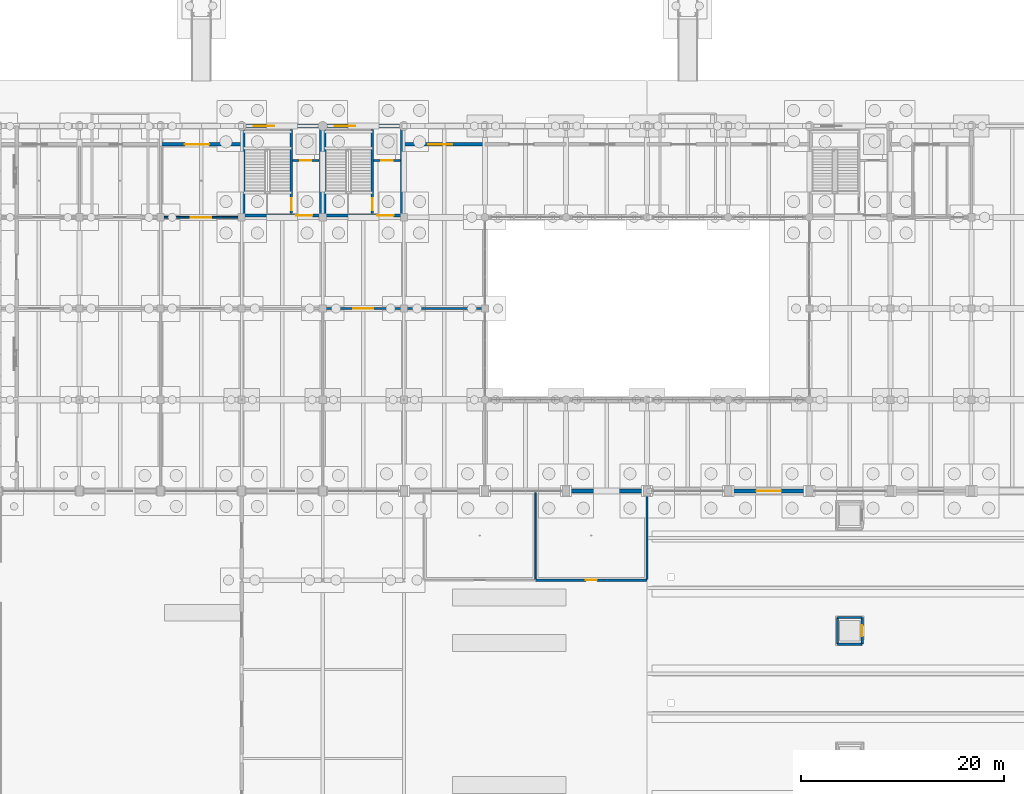
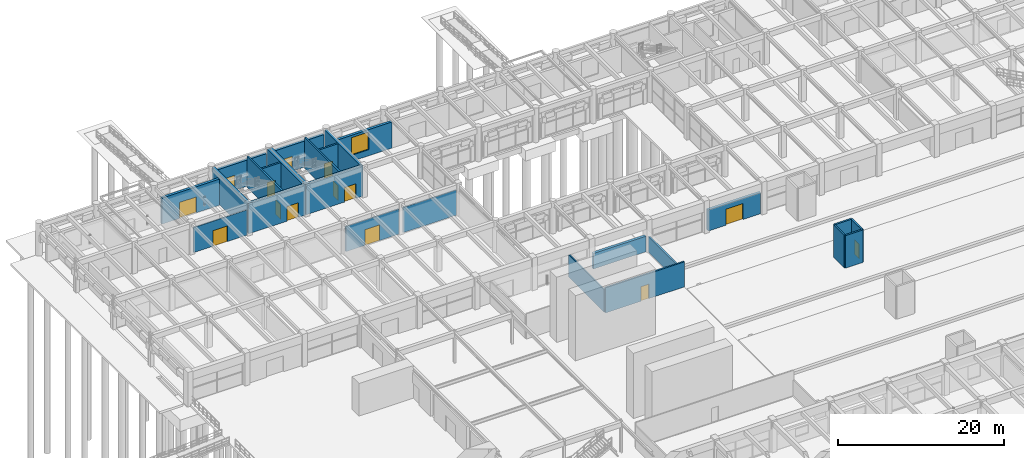
# One storey, part 106 of 147: 26 walls, 14 doors, 1 window, 15 openings.
"""IFC4 building model written with IfcOpenShell, lengths in metres."""

from ifc_helpers import new_model, si_unit, direction, frame, frame_2d, origin, place, context, subcontext, project, spatial, rectangle, extrude, material, layer, layer_set, type_object, element, fill, save


model = new_model("IFC4")

# Units and contexts
model_context = context("Model", 3, precision=1e-05, world=origin(), true_north=direction((0.0, 1.0)))
body_context = subcontext(model_context, "Body", "Model", "MODEL_VIEW")
ifc_project = project(units=[si_unit("LENGTHUNIT", "METRE"), si_unit("AREAUNIT", "SQUARE_METRE"), si_unit("VOLUMEUNIT", "CUBIC_METRE"), si_unit("PLANEANGLEUNIT", "RADIAN"), si_unit("MASSUNIT", "GRAM", prefix="KILO")], contexts=[model_context])

# Site, building, storey
site_placement = place(None, origin())
site = spatial("IfcSite", under=ifc_project, at=site_placement, CompositionType="ELEMENT")
building_placement = place(site_placement, origin())
building = spatial("IfcBuilding", under=site, at=building_placement, Name="Varnabhumi Central Station", CompositionType="ELEMENT")
storey_placement = place(building_placement, origin())
storey = spatial("IfcBuildingStorey", under=building, at=storey_placement, Name="L00", CompositionType="ELEMENT", Elevation=0.0)

# Wall, opening, door
ifc_material_1 = material(Name="Autoclaved aerated blockwork masonry", Category="masonry")
ifc_layer_1 = layer(ifc_material_1, 0.219970703125, Name="Autoclaved aerated blockwork masonry", Category="masonry")
ifc_layer_set_1 = layer_set([ifc_layer_1], Name="Autoclaved aerated blockwork masonry")
wall_type_1 = type_object("IfcWallType", Name="WAL-COMP-AAC-220", PredefinedType="SOLIDWALL", material=ifc_layer_set_1)
wall_1_placement = place(storey_placement, frame((53.0, 71.199951171875, 0.0), z_axis=(0.0, 0.0, 1.0), x_axis=(1.0, 0.0, 0.0)))
wall_1 = element("IfcWall", 1, at=wall_1_placement, inside=storey, type_object=wall_type_1, Name="Passenger Cloak Room and Left Luggage Corridor Partition 1", PredefinedType="SOLIDWALL", context=body_context, shape_type="SweptSolid", body=[
    extrude(rectangle(XDim=11.0, YDim=0.219970703125, at=frame_2d((5.5, 0.0))), origin(), (0.0, 0.0, 1.0), 3.699951171875),
])
opening_1_placement = place(wall_1_placement, frame((4.949951171875, 0.0, 0.0)))
opening_1 = element("IfcOpeningElement", 2, at=opening_1_placement, cuts=wall_1, Name="Opening FD-60", PredefinedType="OPENING", context=body_context, shape_type="SweptSolid", body=[
    extrude(rectangle(XDim=1.10009765625, YDim=2.14990234375, at=frame_2d((0.550048828125, 1.074951171875))), frame((0.0, 0.119873046875, 0.0), z_axis=(0.0, -1.0, 0.0), x_axis=(1.0, 0.0, 0.0)), (0.0, 0.0, 1.0), 0.239990234375),
])
ifc_material_2 = material(Name="Intumescent-treated hardwood timber", Category="wood")
door_type_1 = type_object("IfcDoorType", Name="DR-FIRE-60-1100", OperationType="NOTDEFINED", PredefinedType="DOOR", material=ifc_material_2)
door_1_placement = place(opening_1_placement, frame((1.10009765625, 0.0, 0.0), z_axis=(0.0, 0.0, 1.0), x_axis=(-1.0, 0.0, 0.0)))
door_1 = element("IfcDoor", 3, at=door_1_placement, inside=storey, type_object=door_type_1, Name="Passenger Cloak Room and Left Luggage Door 1", OperationType="SINGLE_SWING_LEFT", OverallHeight=2.14990234375, OverallWidth=1.10009765625, PredefinedType="DOOR", context=body_context, shape_type="SweptSolid", body=[
    extrude(rectangle(XDim=1.10009765625, YDim=2.14990234375, at=frame_2d((0.550048828125, 1.074951171875))), frame((0.0, 0.02490234375, 0.0), z_axis=(0.0, -1.0, 0.0), x_axis=(1.0, 0.0, 0.0)), (0.0, 0.0, 1.0), 0.050048828125),
])
fill(opening_1, door_1)

# Walls
wall_2_placement = place(storey_placement, frame((64.0, 71.280029296875, 0.0), z_axis=(0.0, 0.0, 1.0), x_axis=(0.0, 1.0, 0.0)))
element("IfcWall", 4, at=wall_2_placement, inside=storey, type_object=wall_type_1, Name="Passenger Cloak Room and Left Luggage W Partition 1", PredefinedType="SOLIDWALL", context=body_context, shape_type="SweptSolid", body=[
    extrude(rectangle(XDim=8.419921875, YDim=0.219970703125, at=frame_2d((4.2099609375, 0.0))), origin(), (0.0, 0.0, 1.0), 2.280029296875),
])
ifc_material_3 = material(Name="Concrete M40", Category="concrete")
ifc_layer_2 = layer(ifc_material_3, 0.300048828125, Name="Concrete M40", Category="concrete")
ifc_layer_set_2 = layer_set([ifc_layer_2], Name="Concrete M40")
wall_type_2 = type_object("IfcWallType", Name="WAL-CORE-RC-300", PredefinedType="SHEAR", material=ifc_layer_set_2)
for number, where, z_axis, x_axis, name in (
    (5, (24.179931640625, 107.179931640625, 0.0), (0.0, 0.0, 1.0), (0.0, 1.0, 0.0), "NC1 L00 West Shear Wall"),
    (6, (31.820068359375, 107.179931640625, 0.0), (0.0, 0.0, 1.0), (0.0, 1.0, 0.0), "NC1 L00 East Shear Wall"),
):
    element("IfcWall", number, at=place(storey_placement, frame(where, z_axis=z_axis, x_axis=x_axis)), inside=storey, type_object=wall_type_2, Name=name, PredefinedType="SHEAR", context=body_context, shape_type="SweptSolid", body=[
        extrude(rectangle(XDim=8.64013671875, YDim=0.300048828125, at=frame_2d((4.320068359375, 0.0))), origin(), (0.0, 0.0, 1.0), 4.52001953125),
    ])

# Wall, opening, door
wall_3_placement = place(storey_placement, frame((24.030029296875, 107.179931640625, 0.0), z_axis=(0.0, 0.0, 1.0), x_axis=(1.0, 0.0, 0.0)))
wall_3 = element("IfcWall", 7, at=wall_3_placement, inside=storey, type_object=wall_type_2, Name="NC1 L00 Corridor Shear Wall", PredefinedType="SHEAR", context=body_context, shape_type="SweptSolid", body=[
    extrude(rectangle(XDim=7.93994140625, YDim=0.300048828125, at=frame_2d((3.969970703125, 0.0))), origin(), (0.0, 0.0, 1.0), 4.52001953125),
])
opening_2_placement = place(wall_3_placement, frame((5.35009765625, 0.0, 0.0)))
opening_2 = element("IfcOpeningElement", 8, at=opening_2_placement, cuts=wall_3, Name="Opening FD-60D", PredefinedType="OPENING", context=body_context, shape_type="SweptSolid", body=[
    extrude(rectangle(XDim=1.60009765625, YDim=2.14990234375, at=frame_2d((0.800048828125, 1.074951171875))), frame((0.0, 0.159912109375, 0.0), z_axis=(0.0, -1.0, 0.0), x_axis=(1.0, 0.0, 0.0)), (0.0, 0.0, 1.0), 0.320068359375),
])
door_type_2 = type_object("IfcDoorType", Name="DR-FIRE-60-1600", OperationType="NOTDEFINED", PredefinedType="DOOR", material=ifc_material_2)
door_2_placement = place(opening_2_placement, frame((1.60009765625, 0.0, 0.0), z_axis=(0.0, 0.0, 1.0), x_axis=(-1.0, 0.0, 0.0)))
door_2 = element("IfcDoor", 9, at=door_2_placement, inside=storey, type_object=door_type_2, Name="NC1 L00 Lobby Fire Door", OperationType="DOUBLE_DOOR_SINGLE_SWING", OverallHeight=2.14990234375, OverallWidth=1.60009765625, PredefinedType="DOOR", context=body_context, shape_type="SweptSolid", body=[
    extrude(rectangle(XDim=1.60009765625, YDim=2.14990234375, at=frame_2d((0.800048828125, 1.074951171875))), frame((0.0, 0.02490234375, 0.0), z_axis=(0.0, -1.0, 0.0), x_axis=(1.0, 0.0, 0.0)), (0.0, 0.0, 1.0), 0.050048828125),
])
fill(opening_2, door_2)

# Walls
for number, where, z_axis, x_axis, name in (
    (10, (32.179931640625, 107.179931640625, 0.0), (0.0, 0.0, 1.0), (0.0, 1.0, 0.0), "NC4 L00 West Shear Wall"),
    (11, (39.820068359375, 107.179931640625, 0.0), (0.0, 0.0, 1.0), (0.0, 1.0, 0.0), "NC4 L00 East Shear Wall"),
):
    element("IfcWall", number, at=place(storey_placement, frame(where, z_axis=z_axis, x_axis=x_axis)), inside=storey, type_object=wall_type_2, Name=name, PredefinedType="SHEAR", context=body_context, shape_type="SweptSolid", body=[
        extrude(rectangle(XDim=8.64013671875, YDim=0.300048828125, at=frame_2d((4.320068359375, 0.0))), origin(), (0.0, 0.0, 1.0), 4.52001953125),
    ])

# Wall, opening, door
wall_4_placement = place(storey_placement, frame((32.030029296875, 107.179931640625, 0.0), z_axis=(0.0, 0.0, 1.0), x_axis=(1.0, 0.0, 0.0)))
wall_4 = element("IfcWall", 12, at=wall_4_placement, inside=storey, type_object=wall_type_2, Name="NC4 L00 Corridor Shear Wall", PredefinedType="SHEAR", context=body_context, shape_type="SweptSolid", body=[
    extrude(rectangle(XDim=7.93994140625, YDim=0.300048828125, at=frame_2d((3.969970703125, 0.0))), origin(), (0.0, 0.0, 1.0), 4.52001953125),
])
opening_3_placement = place(wall_4_placement, frame((5.35009765625, 0.0, 0.0)))
opening_3 = element("IfcOpeningElement", 13, at=opening_3_placement, cuts=wall_4, Name="Opening FD-60D", PredefinedType="OPENING", context=body_context, shape_type="SweptSolid", body=[
    extrude(rectangle(XDim=1.60009765625, YDim=2.14990234375, at=frame_2d((0.800048828125, 1.074951171875))), frame((0.0, 0.159912109375, 0.0), z_axis=(0.0, -1.0, 0.0), x_axis=(1.0, 0.0, 0.0)), (0.0, 0.0, 1.0), 0.320068359375),
])
door_3_placement = place(opening_3_placement, frame((1.60009765625, 0.0, 0.0), z_axis=(0.0, 0.0, 1.0), x_axis=(-1.0, 0.0, 0.0)))
door_3 = element("IfcDoor", 14, at=door_3_placement, inside=storey, type_object=door_type_2, Name="NC4 L00 Lobby Fire Door", OperationType="DOUBLE_DOOR_SINGLE_SWING", OverallHeight=2.14990234375, OverallWidth=1.60009765625, PredefinedType="DOOR", context=body_context, shape_type="SweptSolid", body=[
    extrude(rectangle(XDim=1.60009765625, YDim=2.14990234375, at=frame_2d((0.800048828125, 1.074951171875))), frame((0.0, 0.02490234375, 0.0), z_axis=(0.0, -1.0, 0.0), x_axis=(1.0, 0.0, 0.0)), (0.0, 0.0, 1.0), 0.050048828125),
])
fill(opening_3, door_3)

ifc_material_4 = material(Name="Chunar sandstone masonry", Category="masonry")
ifc_layer_3 = layer(ifc_material_4, 0.360107421875, Name="Chunar sandstone masonry", Category="masonry")
ifc_layer_set_3 = layer_set([ifc_layer_3], Name="Chunar sandstone masonry")
wall_type_3 = type_object("IfcWallType", Name="WAL-EXT-SANDSTONE-360", PredefinedType="SOLIDWALL", material=ifc_layer_set_3)
wall_5_placement = place(storey_placement, frame((16.0, 114.199951171875, 0.0), z_axis=(0.0, 0.0, 1.0), x_axis=(1.0, 0.0, 0.0)))
wall_5 = element("IfcWall", 15, at=wall_5_placement, inside=storey, type_object=wall_type_3, Name="North Boulevard Wall L00-3", PredefinedType="SOLIDWALL", context=body_context, shape_type="SweptSolid", body=[
    extrude(rectangle(XDim=8.0, YDim=0.360107421875, at=frame_2d((4.0, 0.0))), origin(), (0.0, 0.0, 1.0), 3.840087890625),
])
opening_4_placement = place(wall_5_placement, frame((2.39990234375, 0.0, 0.0)))
opening_4 = element("IfcOpeningElement", 16, at=opening_4_placement, cuts=wall_5, Name="Opening ED-1", PredefinedType="OPENING", context=body_context, shape_type="SweptSolid", body=[
    extrude(rectangle(XDim=2.39990234375, YDim=2.35009765625, at=frame_2d((1.199951171875, 1.175048828125))), frame((0.0, 0.18994140625, 0.0), z_axis=(0.0, -1.0, 0.0), x_axis=(1.0, 0.0, 0.0)), (0.0, 0.0, 1.0), 0.380126953125),
])
ifc_material_5 = material(Name="Anodised aluminium 6063-T6", Category="aluminium")
door_type_3 = type_object("IfcDoorType", Name="DR-EXT-PORTAL-2400", OperationType="NOTDEFINED", PredefinedType="DOOR", material=ifc_material_5)
door_4_placement = place(opening_4_placement, origin())
door_4 = element("IfcDoor", 17, at=door_4_placement, inside=storey, type_object=door_type_3, Name="North Boulevard Portal Entrance 3", OperationType="DOUBLE_DOOR_SINGLE_SWING", OverallHeight=2.35009765625, OverallWidth=2.39990234375, PredefinedType="DOOR", context=body_context, shape_type="SweptSolid", body=[
    extrude(rectangle(XDim=2.39990234375, YDim=2.35009765625, at=frame_2d((1.199951171875, 1.175048828125))), frame((0.0, 0.02490234375, 0.0), z_axis=(0.0, -1.0, 0.0), x_axis=(1.0, 0.0, 0.0)), (0.0, 0.0, 1.0), 0.050048828125),
])
fill(opening_4, door_4)

wall_6_placement = place(storey_placement, frame((24.39990234375, 116.0, 0.0), z_axis=(0.0, 0.0, 1.0), x_axis=(1.0, 0.0, 0.0)))
wall_6 = element("IfcWall", 18, at=wall_6_placement, inside=storey, type_object=wall_type_3, Name="North Boulevard Wall L00-4", PredefinedType="SOLIDWALL", context=body_context, shape_type="SweptSolid", body=[
    extrude(rectangle(XDim=7.2001953125, YDim=0.360107421875, at=frame_2d((3.60009765625, 0.0))), origin(), (0.0, 0.0, 1.0), 3.840087890625),
])
opening_5_placement = place(wall_6_placement, frame((0.800048828125, 0.0, 0.0)))
opening_5 = element("IfcOpeningElement", 19, at=opening_5_placement, cuts=wall_6, Name="Opening ED-2", PredefinedType="OPENING", context=body_context, shape_type="SweptSolid", body=[
    extrude(rectangle(XDim=2.0, YDim=2.199951171875, at=frame_2d((1.0, 1.10009765625))), frame((0.0, 0.18994140625, 0.0), z_axis=(0.0, -1.0, 0.0), x_axis=(1.0, 0.0, 0.0)), (0.0, 0.0, 1.0), 0.380126953125),
])
ifc_material_6 = material(Name="Stainless steel Grade 316", Category="steel")
door_type_4 = type_object("IfcDoorType", Name="DR-EXT-EXIT-2000", OperationType="NOTDEFINED", PredefinedType="DOOR", material=ifc_material_6)
door_5_placement = place(opening_5_placement, origin())
door_5 = element("IfcDoor", 20, at=door_5_placement, inside=storey, type_object=door_type_4, Name="North Core Stair Final Exit 24", OperationType="DOUBLE_DOOR_SINGLE_SWING", OverallHeight=2.199951171875, OverallWidth=2.0, PredefinedType="DOOR", context=body_context, shape_type="SweptSolid", body=[
    extrude(rectangle(XDim=2.0, YDim=2.199951171875, at=frame_2d((1.0, 1.10009765625))), frame((0.0, 0.02490234375, 0.0), z_axis=(0.0, -1.0, 0.0), x_axis=(1.0, 0.0, 0.0)), (0.0, 0.0, 1.0), 0.050048828125),
])
fill(opening_5, door_5)

wall_7_placement = place(storey_placement, frame((32.39990234375, 116.0, 0.0), z_axis=(0.0, 0.0, 1.0), x_axis=(1.0, 0.0, 0.0)))
wall_7 = element("IfcWall", 21, at=wall_7_placement, inside=storey, type_object=wall_type_3, Name="North Boulevard Wall L00-5", PredefinedType="SOLIDWALL", context=body_context, shape_type="SweptSolid", body=[
    extrude(rectangle(XDim=7.2001953125, YDim=0.360107421875, at=frame_2d((3.60009765625, 0.0))), origin(), (0.0, 0.0, 1.0), 3.840087890625),
])
opening_6_placement = place(wall_7_placement, frame((0.800048828125, 0.0, 0.0)))
opening_6 = element("IfcOpeningElement", 22, at=opening_6_placement, cuts=wall_7, Name="Opening ED-2", PredefinedType="OPENING", context=body_context, shape_type="SweptSolid", body=[
    extrude(rectangle(XDim=2.0, YDim=2.199951171875, at=frame_2d((1.0, 1.10009765625))), frame((0.0, 0.18994140625, 0.0), z_axis=(0.0, -1.0, 0.0), x_axis=(1.0, 0.0, 0.0)), (0.0, 0.0, 1.0), 0.380126953125),
])
door_6_placement = place(opening_6_placement, origin())
door_6 = element("IfcDoor", 23, at=door_6_placement, inside=storey, type_object=door_type_4, Name="North Core Stair Final Exit 32", OperationType="DOUBLE_DOOR_SINGLE_SWING", OverallHeight=2.199951171875, OverallWidth=2.0, PredefinedType="DOOR", context=body_context, shape_type="SweptSolid", body=[
    extrude(rectangle(XDim=2.0, YDim=2.199951171875, at=frame_2d((1.0, 1.10009765625))), frame((0.0, 0.02490234375, 0.0), z_axis=(0.0, -1.0, 0.0), x_axis=(1.0, 0.0, 0.0)), (0.0, 0.0, 1.0), 0.050048828125),
])
fill(opening_6, door_6)

# Wall, opening, window
wall_8_placement = place(storey_placement, frame((40.0, 114.199951171875, 0.0), z_axis=(0.0, 0.0, 1.0), x_axis=(1.0, 0.0, 0.0)))
wall_8 = element("IfcWall", 24, at=wall_8_placement, inside=storey, type_object=wall_type_3, Name="North Boulevard Wall L00-6", PredefinedType="SOLIDWALL", context=body_context, shape_type="SweptSolid", body=[
    extrude(rectangle(XDim=8.0, YDim=0.360107421875, at=frame_2d((4.0, 0.0))), origin(), (0.0, 0.0, 1.0), 3.840087890625),
])
opening_7_placement = place(wall_8_placement, frame((2.39990234375, 0.0, 0.89990234375)))
opening_7 = element("IfcOpeningElement", 25, at=opening_7_placement, cuts=wall_8, Name="Opening W-01", PredefinedType="OPENING", context=body_context, shape_type="SweptSolid", body=[
    extrude(rectangle(XDim=2.39990234375, YDim=2.60009765625, at=frame_2d((1.199951171875, 1.300048828125))), frame((0.0, 0.18994140625, 0.0), z_axis=(0.0, -1.0, 0.0), x_axis=(1.0, 0.0, 0.0)), (0.0, 0.0, 1.0), 0.380126953125),
])
ifc_material_7 = material(Name="Laminated low-E double glazing", Category="glass")
window_type = type_object("IfcWindowType", Name="WIN-ARCADE-2400x2600", PartitioningType="DOUBLE_PANEL_VERTICAL", PredefinedType="WINDOW", material=ifc_material_7)
window_placement = place(opening_7_placement, origin())
window = element("IfcWindow", 26, at=window_placement, inside=storey, type_object=window_type, Name="North Arcade Window L00-6", OverallHeight=2.60009765625, OverallWidth=2.39990234375, PartitioningType="SINGLE_PANEL", PredefinedType="WINDOW", context=body_context, shape_type="SweptSolid", body=[
    extrude(rectangle(XDim=2.39990234375, YDim=2.60009765625, at=frame_2d((1.199951171875, 1.300048828125))), frame((0.0, 0.030029296875, 0.0), z_axis=(0.0, -1.0, 0.0), x_axis=(1.0, 0.0, 0.0)), (0.0, 0.0, 1.0), 0.06005859375),
])
fill(opening_7, window)

# Wall
wall_9_placement = place(storey_placement, frame((56.344970703125, 80.0, 0.0), z_axis=(0.0, 0.0, 1.0), x_axis=(1.0, 0.0, 0.0)))
element("IfcWall", 27, at=wall_9_placement, inside=storey, type_object=wall_type_3, Name="North Spine Wall L00-8", PredefinedType="SOLIDWALL", context=body_context, shape_type="SweptSolid", body=[
    extrude(rectangle(XDim=7.31005859375, YDim=0.360107421875, at=frame_2d((3.655029296875, 0.0))), origin(), (0.0, 0.0, 1.0), 2.280029296875),
])

# Wall, opening, door
wall_10_placement = place(storey_placement, frame((72.344970703125, 80.0, 0.0), z_axis=(0.0, 0.0, 1.0), x_axis=(1.0, 0.0, 0.0)))
wall_10 = element("IfcWall", 28, at=wall_10_placement, inside=storey, type_object=wall_type_3, Name="North Spine Wall L00-10", PredefinedType="SOLIDWALL", context=body_context, shape_type="SweptSolid", body=[
    extrude(rectangle(XDim=7.31005859375, YDim=0.360107421875, at=frame_2d((3.655029296875, 0.0))), origin(), (0.0, 0.0, 1.0), 3.110107421875),
])
opening_8_placement = place(wall_10_placement, frame((2.455078125, 0.0, 0.0)))
opening_8 = element("IfcOpeningElement", 29, at=opening_8_placement, cuts=wall_10, Name="Opening ED-1", PredefinedType="OPENING", context=body_context, shape_type="SweptSolid", body=[
    extrude(rectangle(XDim=2.39990234375, YDim=2.35009765625, at=frame_2d((1.199951171875, 1.175048828125))), frame((0.0, 0.18994140625, 0.0), z_axis=(0.0, -1.0, 0.0), x_axis=(1.0, 0.0, 0.0)), (0.0, 0.0, 1.0), 0.380126953125),
])
door_7_placement = place(opening_8_placement, frame((2.39990234375, 0.0, 0.0), z_axis=(0.0, 0.0, 1.0), x_axis=(-1.0, 0.0, 0.0)))
door_7 = element("IfcDoor", 30, at=door_7_placement, inside=storey, type_object=door_type_3, Name="North Spine Portal Door L00-10", OperationType="DOUBLE_DOOR_SINGLE_SWING", OverallHeight=2.35009765625, OverallWidth=2.39990234375, PredefinedType="DOOR", context=body_context, shape_type="SweptSolid", body=[
    extrude(rectangle(XDim=2.39990234375, YDim=2.35009765625, at=frame_2d((1.199951171875, 1.175048828125))), frame((0.0, 0.02490234375, 0.0), z_axis=(0.0, -1.0, 0.0), x_axis=(1.0, 0.0, 0.0)), (0.0, 0.0, 1.0), 0.050048828125),
])
fill(opening_8, door_7)

# Wall
ifc_layer_4 = layer(ifc_material_1, 0.159912109375, Name="Autoclaved aerated blockwork masonry", Category="masonry")
ifc_layer_set_4 = layer_set([ifc_layer_4], Name="Autoclaved aerated blockwork masonry")
wall_type_4 = type_object("IfcWallType", Name="WAL-PART-AAC-160", PredefinedType="PARTITIONING", material=ifc_layer_set_4)
wall_11_placement = place(storey_placement, frame((53.0, 71.280029296875, 0.0), z_axis=(0.0, 0.0, 1.0), x_axis=(0.0, 1.0, 0.0)))
element("IfcWall", 31, at=wall_11_placement, inside=storey, type_object=wall_type_4, Name="Divyangjan Help Booth and Enquiry W Partition 1", PredefinedType="PARTITIONING", context=body_context, shape_type="SweptSolid", body=[
    extrude(rectangle(XDim=8.56005859375, YDim=0.159912109375, at=frame_2d((4.280029296875, 0.0))), origin(), (0.0, 0.0, 1.0), 3.31005859375),
])

# Wall, opening, door
wall_12_placement = place(storey_placement, frame((16.300048828125, 107.0, 0.0), z_axis=(0.0, 0.0, 1.0), x_axis=(1.0, 0.0, 0.0)))
wall_12 = element("IfcWall", 32, at=wall_12_placement, inside=storey, type_object=wall_type_4, Name="Travel Retail Shop 01 Corridor Partition 1", PredefinedType="PARTITIONING", context=body_context, shape_type="SweptSolid", body=[
    extrude(rectangle(XDim=7.39990234375, YDim=0.159912109375, at=frame_2d((3.699951171875, 0.0))), origin(), (0.0, 0.0, 1.0), 3.699951171875),
])
opening_9_placement = place(wall_12_placement, frame((2.699951171875, 0.0, 0.0)))
opening_9 = element("IfcOpeningElement", 33, at=opening_9_placement, cuts=wall_12, Name="Opening D-03", PredefinedType="OPENING", context=body_context, shape_type="SweptSolid", body=[
    extrude(rectangle(XDim=2.0, YDim=2.300048828125, at=frame_2d((1.0, 1.14990234375))), frame((0.0, 0.08984375, 0.0), z_axis=(0.0, -1.0, 0.0), x_axis=(1.0, 0.0, 0.0)), (0.0, 0.0, 1.0), 0.179931640625),
])
door_type_5 = type_object("IfcDoorType", Name="DR-SHOP-2000", OperationType="NOTDEFINED", PredefinedType="DOOR", material=ifc_material_5)
door_8_placement = place(opening_9_placement, frame((2.0, 0.0, 0.0), z_axis=(0.0, 0.0, 1.0), x_axis=(-1.0, 0.0, 0.0)))
door_8 = element("IfcDoor", 34, at=door_8_placement, inside=storey, type_object=door_type_5, Name="Travel Retail Shop 01 Door 1", OperationType="DOUBLE_DOOR_SINGLE_SWING", OverallHeight=2.300048828125, OverallWidth=2.0, PredefinedType="DOOR", context=body_context, shape_type="SweptSolid", body=[
    extrude(rectangle(XDim=2.0, YDim=2.300048828125, at=frame_2d((1.0, 1.14990234375))), frame((0.0, 0.02490234375, 0.0), z_axis=(0.0, -1.0, 0.0), x_axis=(1.0, 0.0, 0.0)), (0.0, 0.0, 1.0), 0.050048828125),
])
fill(opening_9, door_8)

wall_13_placement = place(storey_placement, frame((32.300048828125, 98.0, 0.0), z_axis=(0.0, 0.0, 1.0), x_axis=(1.0, 0.0, 0.0)))
wall_13 = element("IfcWall", 35, at=wall_13_placement, inside=storey, type_object=wall_type_4, Name="Luggage and Travel Gear Shop Corridor Partition 1", PredefinedType="PARTITIONING", context=body_context, shape_type="SweptSolid", body=[
    extrude(rectangle(XDim=7.39990234375, YDim=0.159912109375, at=frame_2d((3.699951171875, 0.0))), origin(), (0.0, 0.0, 1.0), 3.699951171875),
])
opening_10_placement = place(wall_13_placement, frame((2.699951171875, 0.0, 0.0)))
opening_10 = element("IfcOpeningElement", 36, at=opening_10_placement, cuts=wall_13, Name="Opening D-03", PredefinedType="OPENING", context=body_context, shape_type="SweptSolid", body=[
    extrude(rectangle(XDim=2.0, YDim=2.300048828125, at=frame_2d((1.0, 1.14990234375))), frame((0.0, 0.08984375, 0.0), z_axis=(0.0, -1.0, 0.0), x_axis=(1.0, 0.0, 0.0)), (0.0, 0.0, 1.0), 0.179931640625),
])
door_9_placement = place(opening_10_placement, origin())
door_9 = element("IfcDoor", 37, at=door_9_placement, inside=storey, type_object=door_type_5, Name="Luggage and Travel Gear Shop Door 1", OperationType="DOUBLE_DOOR_SINGLE_SWING", OverallHeight=2.300048828125, OverallWidth=2.0, PredefinedType="DOOR", context=body_context, shape_type="SweptSolid", body=[
    extrude(rectangle(XDim=2.0, YDim=2.300048828125, at=frame_2d((1.0, 1.14990234375))), frame((0.0, 0.02490234375, 0.0), z_axis=(0.0, -1.0, 0.0), x_axis=(1.0, 0.0, 0.0)), (0.0, 0.0, 1.0), 0.050048828125),
])
fill(opening_10, door_9)

# Wall
wall_14_placement = place(storey_placement, frame((40.300048828125, 98.0, 0.0), z_axis=(0.0, 0.0, 1.0), x_axis=(1.0, 0.0, 0.0)))
element("IfcWall", 38, at=wall_14_placement, inside=storey, type_object=wall_type_4, Name="Luggage and Travel Gear Shop Corridor Partition 2", PredefinedType="PARTITIONING", context=body_context, shape_type="SweptSolid", body=[
    extrude(rectangle(XDim=7.39990234375, YDim=0.159912109375, at=frame_2d((3.699951171875, 0.0))), origin(), (0.0, 0.0, 1.0), 3.699951171875),
])

# Wall, opening, door
ifc_layer_5 = layer(ifc_material_3, 0.239990234375, Name="Concrete M40", Category="concrete")
ifc_layer_set_5 = layer_set([ifc_layer_5], Name="Concrete M40")
wall_type_5 = type_object("IfcWallType", Name="WAL-SHAFT-RC-240", PredefinedType="SHEAR", material=ifc_layer_set_5)
wall_15_placement = place(storey_placement, frame((28.89990234375, 107.35009765625, 0.0), z_axis=(0.0, 0.0, 1.0), x_axis=(0.0, 1.0, 0.0)))
wall_15 = element("IfcWall", 39, at=wall_15_placement, inside=storey, type_object=wall_type_5, Name="NC1 L00 Stair-Lobby Divider Wall", PredefinedType="SHEAR", context=body_context, shape_type="SweptSolid", body=[
    extrude(rectangle(XDim=8.2998046875, YDim=0.239990234375, at=frame_2d((4.14990234375, 0.0))), origin(), (0.0, 0.0, 1.0), 4.52001953125),
])
opening_11_placement = place(wall_15_placement, frame((0.35009765625, 0.0, 0.0)))
opening_11 = element("IfcOpeningElement", 40, at=opening_11_placement, cuts=wall_15, Name="Opening FD-120", PredefinedType="OPENING", context=body_context, shape_type="SweptSolid", body=[
    extrude(rectangle(XDim=1.199951171875, YDim=2.14990234375, at=frame_2d((0.60009765625, 1.074951171875))), frame((0.0, 0.1298828125, 0.0), z_axis=(0.0, -1.0, 0.0), x_axis=(1.0, 0.0, 0.0)), (0.0, 0.0, 1.0), 0.260009765625),
])
door_type_6 = type_object("IfcDoorType", Name="DR-FIRE-120-1200", OperationType="NOTDEFINED", PredefinedType="DOOR", material=ifc_material_6)
door_10_placement = place(opening_11_placement, frame((1.199951171875, 0.0, 0.0), z_axis=(0.0, 0.0, 1.0), x_axis=(-1.0, 0.0, 0.0)))
door_10 = element("IfcDoor", 41, at=door_10_placement, inside=storey, type_object=door_type_6, Name="ST-N1 L00 Fire Door", OperationType="SINGLE_SWING_LEFT", OverallHeight=2.14990234375, OverallWidth=1.199951171875, PredefinedType="DOOR", context=body_context, shape_type="SweptSolid", body=[
    extrude(rectangle(XDim=1.199951171875, YDim=2.14990234375, at=frame_2d((0.60009765625, 1.074951171875))), frame((0.0, 0.02490234375, 0.0), z_axis=(0.0, -1.0, 0.0), x_axis=(1.0, 0.0, 0.0)), (0.0, 0.0, 1.0), 0.050048828125),
])
fill(opening_11, door_10)

wall_16_placement = place(storey_placement, frame((29.02001953125, 112.60009765625, 0.0), z_axis=(0.0, 0.0, 1.0), x_axis=(1.0, 0.0, 0.0)))
wall_16 = element("IfcWall", 42, at=wall_16_placement, inside=storey, type_object=wall_type_5, Name="PL-5 L00 Lift Shaft Front Wall", PredefinedType="SHEAR", context=body_context, shape_type="SweptSolid", body=[
    extrude(rectangle(XDim=2.6298828125, YDim=0.239990234375, at=frame_2d((1.31494140625, 0.0))), origin(), (0.0, 0.0, 1.0), 4.52001953125),
])
opening_12_placement = place(wall_16_placement, frame((0.764892578125, 0.0, 0.0)))
opening_12 = element("IfcOpeningElement", 43, at=opening_12_placement, cuts=wall_16, Name="Opening LD-PL-5", PredefinedType="OPENING", context=body_context, shape_type="SweptSolid", body=[
    extrude(rectangle(XDim=1.10009765625, YDim=2.14990234375, at=frame_2d((0.550048828125, 1.074951171875))), frame((0.0, 0.1298828125, 0.0), z_axis=(0.0, -1.0, 0.0), x_axis=(1.0, 0.0, 0.0)), (0.0, 0.0, 1.0), 0.260009765625),
])
door_type_7 = type_object("IfcDoorType", Name="DR-LIFT-PASS-1100", OperationType="NOTDEFINED", PredefinedType="DOOR", material=ifc_material_6)
door_11_placement = place(opening_12_placement, origin())
door_11 = element("IfcDoor", 44, at=door_11_placement, inside=storey, type_object=door_type_7, Name="Lift Landing Door PL-5 L00", OperationType="DOUBLE_DOOR_SLIDING", OverallHeight=2.14990234375, OverallWidth=1.10009765625, PredefinedType="DOOR", context=body_context, shape_type="SweptSolid", body=[
    extrude(rectangle(XDim=1.10009765625, YDim=2.14990234375, at=frame_2d((0.550048828125, 1.074951171875))), frame((0.0, 0.02490234375, 0.0), z_axis=(0.0, -1.0, 0.0), x_axis=(1.0, 0.0, 0.0)), (0.0, 0.0, 1.0), 0.050048828125),
])
fill(opening_12, door_11)

wall_17_placement = place(storey_placement, frame((36.89990234375, 107.35009765625, 0.0), z_axis=(0.0, 0.0, 1.0), x_axis=(0.0, 1.0, 0.0)))
wall_17 = element("IfcWall", 45, at=wall_17_placement, inside=storey, type_object=wall_type_5, Name="NC4 L00 Stair-Lobby Divider Wall", PredefinedType="SHEAR", context=body_context, shape_type="SweptSolid", body=[
    extrude(rectangle(XDim=8.2998046875, YDim=0.239990234375, at=frame_2d((4.14990234375, 0.0))), origin(), (0.0, 0.0, 1.0), 4.52001953125),
])
opening_13_placement = place(wall_17_placement, frame((0.35009765625, 0.0, 0.0)))
opening_13 = element("IfcOpeningElement", 46, at=opening_13_placement, cuts=wall_17, Name="Opening FD-120", PredefinedType="OPENING", context=body_context, shape_type="SweptSolid", body=[
    extrude(rectangle(XDim=1.199951171875, YDim=2.14990234375, at=frame_2d((0.60009765625, 1.074951171875))), frame((0.0, 0.1298828125, 0.0), z_axis=(0.0, -1.0, 0.0), x_axis=(1.0, 0.0, 0.0)), (0.0, 0.0, 1.0), 0.260009765625),
])
door_12_placement = place(opening_13_placement, frame((1.199951171875, 0.0, 0.0), z_axis=(0.0, 0.0, 1.0), x_axis=(-1.0, 0.0, 0.0)))
door_12 = element("IfcDoor", 47, at=door_12_placement, inside=storey, type_object=door_type_6, Name="ST-N4 L00 Fire Door", OperationType="SINGLE_SWING_LEFT", OverallHeight=2.14990234375, OverallWidth=1.199951171875, PredefinedType="DOOR", context=body_context, shape_type="SweptSolid", body=[
    extrude(rectangle(XDim=1.199951171875, YDim=2.14990234375, at=frame_2d((0.60009765625, 1.074951171875))), frame((0.0, 0.02490234375, 0.0), z_axis=(0.0, -1.0, 0.0), x_axis=(1.0, 0.0, 0.0)), (0.0, 0.0, 1.0), 0.050048828125),
])
fill(opening_13, door_12)

wall_18_placement = place(storey_placement, frame((37.02001953125, 112.60009765625, 0.0), z_axis=(0.0, 0.0, 1.0), x_axis=(1.0, 0.0, 0.0)))
wall_18 = element("IfcWall", 48, at=wall_18_placement, inside=storey, type_object=wall_type_5, Name="PL-9 L00 Lift Shaft Front Wall", PredefinedType="SHEAR", context=body_context, shape_type="SweptSolid", body=[
    extrude(rectangle(XDim=2.6298828125, YDim=0.239990234375, at=frame_2d((1.31494140625, 0.0))), origin(), (0.0, 0.0, 1.0), 4.52001953125),
])
opening_14_placement = place(wall_18_placement, frame((0.764892578125, 0.0, 0.0)))
opening_14 = element("IfcOpeningElement", 49, at=opening_14_placement, cuts=wall_18, Name="Opening LD-PL-9", PredefinedType="OPENING", context=body_context, shape_type="SweptSolid", body=[
    extrude(rectangle(XDim=1.10009765625, YDim=2.14990234375, at=frame_2d((0.550048828125, 1.074951171875))), frame((0.0, 0.1298828125, 0.0), z_axis=(0.0, -1.0, 0.0), x_axis=(1.0, 0.0, 0.0)), (0.0, 0.0, 1.0), 0.260009765625),
])
door_13_placement = place(opening_14_placement, origin())
door_13 = element("IfcDoor", 50, at=door_13_placement, inside=storey, type_object=door_type_7, Name="Lift Landing Door PL-9 L00", OperationType="DOUBLE_DOOR_SLIDING", OverallHeight=2.14990234375, OverallWidth=1.10009765625, PredefinedType="DOOR", context=body_context, shape_type="SweptSolid", body=[
    extrude(rectangle(XDim=1.10009765625, YDim=2.14990234375, at=frame_2d((0.550048828125, 1.074951171875))), frame((0.0, 0.02490234375, 0.0), z_axis=(0.0, -1.0, 0.0), x_axis=(1.0, 0.0, 0.0)), (0.0, 0.0, 1.0), 0.050048828125),
])
fill(opening_14, door_13)

# Walls
wall_19_placement = place(storey_placement, frame((82.780029296875, 64.8798828125, 0.0), z_axis=(0.0, 0.0, 1.0), x_axis=(0.0, 1.0, 0.0)))
element("IfcWall", 51, at=wall_19_placement, inside=storey, type_object=wall_type_5, Name="PL-3 L00 Shaft West Wall", PredefinedType="SHEAR", context=body_context, shape_type="SweptSolid", body=[
    extrude(rectangle(XDim=2.64013671875, YDim=0.239990234375, at=frame_2d((1.320068359375, 0.0))), origin(), (0.0, 0.0, 1.0), 4.800048828125),
])
for number, where, z_axis, x_axis, name in (
    (52, (82.780029296875, 64.8798828125, 0.0), (0.0, 0.0, 1.0), (1.0, 0.0, 0.0), "PL-3 L00 Shaft South Wall"),
    (53, (82.780029296875, 67.52001953125, 0.0), (0.0, 0.0, 1.0), (1.0, 0.0, 0.0), "PL-3 L00 Shaft North Wall"),
):
    element("IfcWall", number, at=place(storey_placement, frame(where, z_axis=z_axis, x_axis=x_axis)), inside=storey, type_object=wall_type_5, Name=name, PredefinedType="SHEAR", context=body_context, shape_type="SweptSolid", body=[
        extrude(rectangle(XDim=2.43994140625, YDim=0.239990234375, at=frame_2d((1.219970703125, 0.0))), origin(), (0.0, 0.0, 1.0), 4.800048828125),
    ])

# Wall, opening, door
wall_20_placement = place(storey_placement, frame((85.219970703125, 64.8798828125, 0.0), z_axis=(0.0, 0.0, 1.0), x_axis=(0.0, 1.0, 0.0)))
wall_20 = element("IfcWall", 54, at=wall_20_placement, inside=storey, type_object=wall_type_5, Name="PL-3 L00 Shaft Front Wall", PredefinedType="SHEAR", context=body_context, shape_type="SweptSolid", body=[
    extrude(rectangle(XDim=2.64013671875, YDim=0.239990234375, at=frame_2d((1.320068359375, 0.0))), origin(), (0.0, 0.0, 1.0), 4.800048828125),
])
opening_15_placement = place(wall_20_placement, frame((0.77001953125, 0.0, 0.0)))
opening_15 = element("IfcOpeningElement", 55, at=opening_15_placement, cuts=wall_20, Name="Opening LD-PL-3", PredefinedType="OPENING", context=body_context, shape_type="SweptSolid", body=[
    extrude(rectangle(XDim=1.10009765625, YDim=2.14990234375, at=frame_2d((0.550048828125, 1.074951171875))), frame((0.0, 0.1298828125, 0.0), z_axis=(0.0, -1.0, 0.0), x_axis=(1.0, 0.0, 0.0)), (0.0, 0.0, 1.0), 0.260009765625),
])
door_14_placement = place(opening_15_placement, origin())
door_14 = element("IfcDoor", 56, at=door_14_placement, inside=storey, type_object=door_type_7, Name="Lift Landing Door PL-3 L00", OperationType="DOUBLE_DOOR_SLIDING", OverallHeight=2.14990234375, OverallWidth=1.10009765625, PredefinedType="DOOR", context=body_context, shape_type="SweptSolid", body=[
    extrude(rectangle(XDim=1.10009765625, YDim=2.14990234375, at=frame_2d((0.550048828125, 1.074951171875))), frame((0.0, 0.02490234375, 0.0), z_axis=(0.0, -1.0, 0.0), x_axis=(1.0, 0.0, 0.0)), (0.0, 0.0, 1.0), 0.050048828125),
])
fill(opening_15, door_14)

save(model, "model.ifc")
